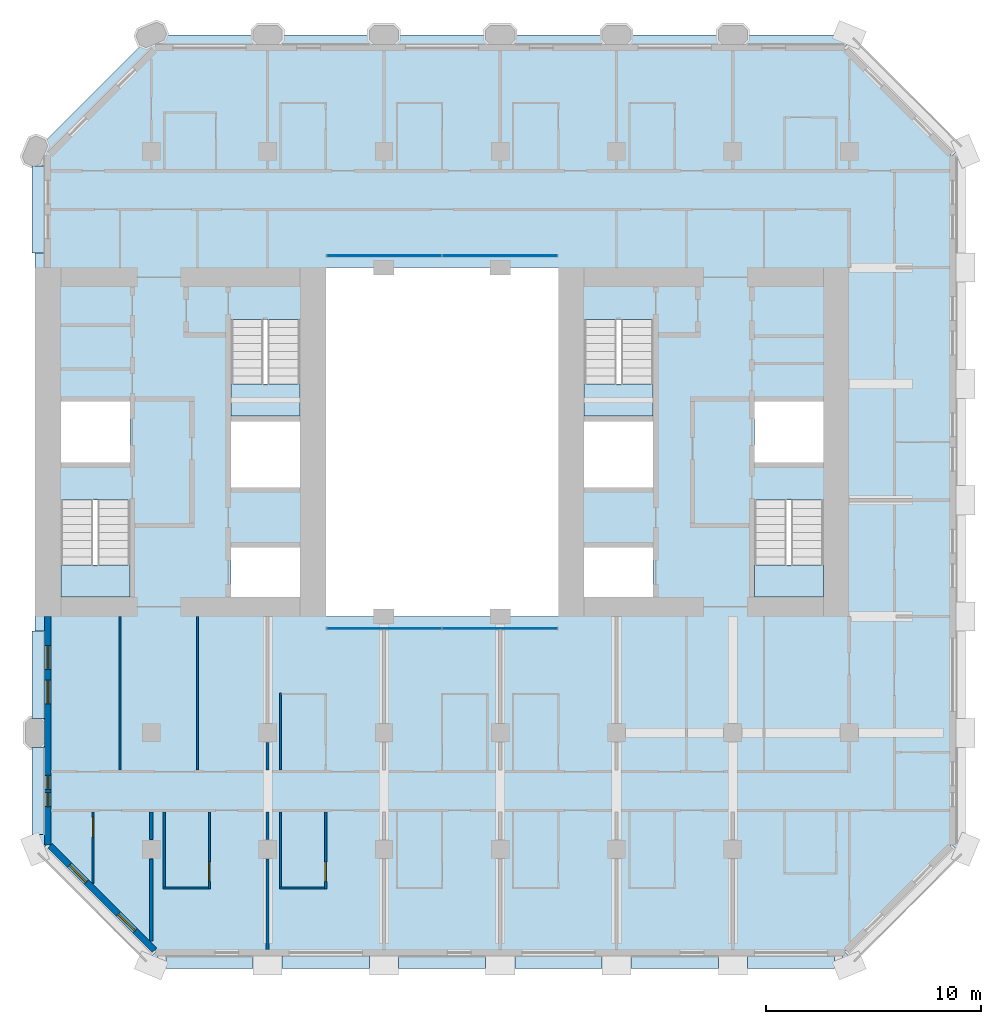
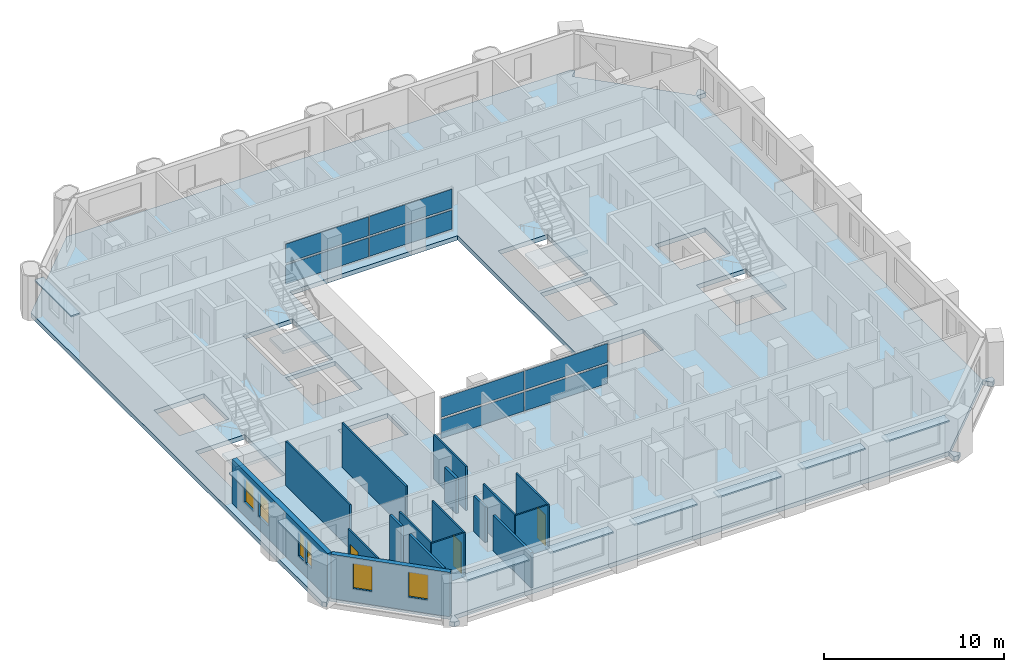
# One storey, part 7 of 16: 17 plates, 17 walls, 6 windows, 5 slabs, 3 doors, 9 openings, 6 elements without a shape of their own.
"""IFC4 building model written with IfcOpenShell, lengths in metres."""

import ifcopenshell
import ifcopenshell.guid

model = None  # the IFC model being written
_history = None  # IfcOwnerHistory: only IFC2X3 demands one
_inside = {}  # id of a spatial element -> (the spatial element, [elements in it])
_under = {}  # id of a project, library or spatial element -> (it, [spatial elements below it])
_declared = {}  # id of a project -> (the project, [libraries it declares])
_typed = {}  # id of a type object -> (the type object, [elements of that type])
_made_of = {}  # id of a material, layer set ... -> (it, [elements and type objects made of it])


def new_model(schema):
    """Start an empty IFC model of exactly this schema.

    Asked for "IFC4X3", IfcOpenShell would pick the latest addendum, in which some entities
    have other attributes; the version numbers below select the first issue.
    IFC2X3 requires an IfcOwnerHistory on every rooted entity: one is made here for all.
    """
    global model, _history
    if schema == "IFC4X3":
        model = ifcopenshell.file(schema_version=(4, 3, 0, 0))
    else:
        model = ifcopenshell.file(schema=schema)
    _inside.clear()
    _under.clear()
    _declared.clear()
    _typed.clear()
    _made_of.clear()
    _history = None
    if model.schema == "IFC2X3":
        org = make("IfcOrganization", Name="unknown")
        user = make(
            "IfcPersonAndOrganization",
            ThePerson=make("IfcPerson", FamilyName="unknown"),
            TheOrganization=org,
        )
        app = make(
            "IfcApplication",
            ApplicationDeveloper=org,
            Version="unknown",
            ApplicationFullName="unknown",
            ApplicationIdentifier="unknown",
        )
        _history = make(
            "IfcOwnerHistory",
            OwningUser=user,
            OwningApplication=app,
            ChangeAction="ADDED",
            CreationDate=0,
        )
    return model


def make(cls, **values):
    """One entity of the class cls with the attributes given. An attribute that is None is left unset."""
    return model.create_entity(
        cls, **{name: value for name, value in values.items() if value is not None}
    )


def rooted(cls, **values):
    """An entity with a GlobalId (a new one), such as an element, a storey or a relation."""
    return make(cls, GlobalId=ifcopenshell.guid.new(), OwnerHistory=_history, **values)


def si_unit(unit_type, name, prefix=None):
    """IfcSIUnit, for example si_unit("LENGTHUNIT", "METRE", prefix="MILLI")."""
    return make("IfcSIUnit", UnitType=unit_type, Prefix=prefix, Name=name)


def assignment(units):
    """IfcUnitAssignment: the units of a project."""
    return None if units is None else make("IfcUnitAssignment", Units=units)


def point(xyz):
    """IfcCartesianPoint."""
    return None if xyz is None else make("IfcCartesianPoint", Coordinates=xyz)


def direction(xyz):
    """IfcDirection."""
    return None if xyz is None else make("IfcDirection", DirectionRatios=xyz)


def frame(location, z_axis=None, x_axis=None):
    """IfcAxis2Placement3D, a coordinate frame: its origin and axes. An axis left out is left unset."""
    return make(
        "IfcAxis2Placement3D",
        Location=point(location),
        Axis=direction(z_axis),
        RefDirection=direction(x_axis),
    )


def frame_2d(location, x_axis=None):
    """IfcAxis2Placement2D, a coordinate frame in the plane: its origin and x axis."""
    return make(
        "IfcAxis2Placement2D", Location=point(location), RefDirection=direction(x_axis)
    )


def origin():
    """The frame at (0, 0, 0) with its axes left unset."""
    return frame((0.0, 0.0, 0.0))


def origin_2d():
    """The frame at (0, 0) in the plane with its x axis left unset."""
    return frame_2d((0.0, 0.0))


def place(relative_to, where):
    """IfcLocalPlacement: puts the frame where relative to a parent placement (None: the world)."""
    return make(
        "IfcLocalPlacement", PlacementRelTo=relative_to, RelativePlacement=where
    )


def context(
    kind, dimensions, precision=None, world=None, true_north=None, identifier=None
):
    """IfcGeometricRepresentationContext, for example the 3D "Model" context."""
    return make(
        "IfcGeometricRepresentationContext",
        ContextIdentifier=identifier,
        ContextType=kind,
        CoordinateSpaceDimension=dimensions,
        Precision=precision,
        WorldCoordinateSystem=world,
        TrueNorth=true_north,
    )


def subcontext(parent, identifier, kind, view, scale=None):
    """IfcGeometricRepresentationSubContext, for example "Body" below "Model"."""
    return make(
        "IfcGeometricRepresentationSubContext",
        ContextIdentifier=identifier,
        ContextType=kind,
        ParentContext=parent,
        TargetScale=scale,
        TargetView=view,
    )


def project(units=None, contexts=None):
    """IfcProject with its units and contexts."""
    return rooted(
        "IfcProject",
        Name="project",
        RepresentationContexts=contexts,
        UnitsInContext=assignment(units),
    )


def spatial(cls, under=None, at=None, **own):
    """A site, building, storey or space (cls), placed at a placement, below another one or the project."""
    s = rooted(cls, ObjectPlacement=at, **own)
    if under is not None:
        _under.setdefault(under.id(), (under, []))[1].append(s)
    return s


def polyline(points):
    """IfcPolyline through the points."""
    return make("IfcPolyline", Points=[point(p) for p in points])


def profile(cls, at=None, kind="AREA", **sizes):
    """A parametric profile (cls). Its sizes go by their IFC names, for example OverallWidth=200.0."""
    return make(cls, ProfileType=kind, Position=at, **sizes)


def rectangle(**sizes):
    """IfcRectangleProfileDef."""
    return profile("IfcRectangleProfileDef", **sizes)


def outline(outer, holes=None, kind="AREA"):
    """IfcArbitraryClosedProfileDef: a profile drawn as a closed curve; with holes, ...WithVoids."""
    if holes is None:
        return make("IfcArbitraryClosedProfileDef", ProfileType=kind, OuterCurve=outer)
    return make(
        "IfcArbitraryProfileDefWithVoids",
        ProfileType=kind,
        OuterCurve=outer,
        InnerCurves=holes,
    )


def extrude(swept, where, along, depth):
    """IfcExtrudedAreaSolid: the profile swept, set in the frame where, extruded along a direction by depth."""
    return make(
        "IfcExtrudedAreaSolid",
        SweptArea=swept,
        Position=where,
        ExtrudedDirection=direction(along),
        Depth=depth,
    )


def shape(context_of_items, identifier, shape_type, items):
    """IfcShapeRepresentation: the items that make up one representation, for example the "Body"."""
    return make(
        "IfcShapeRepresentation",
        ContextOfItems=context_of_items,
        RepresentationIdentifier=identifier,
        RepresentationType=shape_type,
        Items=items,
    )


def material(Name=None, Category=None):
    """IfcMaterial."""
    return make("IfcMaterial", Name=Name, Category=Category)


def layer(
    of_material, thickness, ventilated=None, Name=None, Category=None, Priority=None
):
    """IfcMaterialLayer: one layer of a wall or slab, of a material (None: an air gap)."""
    return make(
        "IfcMaterialLayer",
        Material=of_material,
        LayerThickness=thickness,
        IsVentilated=ventilated,
        Name=Name,
        Category=Category,
        Priority=Priority,
    )


def layer_set(layers, Name=None):
    """IfcMaterialLayerSet."""
    return make("IfcMaterialLayerSet", MaterialLayers=layers, LayerSetName=Name)


def made_of(thing, what):
    """Note that an element or type object is made of a material, layer set ...; save() writes the relation."""
    if what is not None:
        _made_of.setdefault(what.id(), (what, []))[1].append(thing)
    return thing


def type_object(cls, material=None, **own):
    """A type object (cls), such as IfcWallType, which elements share."""
    return made_of(rooted(cls, **own), material)


def element(
    cls,
    number,
    at=None,
    inside=None,
    cuts=None,
    type_object=None,
    material=None,
    context=None,
    identifier="Body",
    shape_type=None,
    held_by="IfcProductDefinitionShape",
    body=None,
    shapes=None,
    **own,
):
    """One element of the class cls, such as IfcWall. Its Tag is "e" and its number.

    at: its placement. inside: the storey or other place that contains it. cuts: it is an
    opening in that element (IfcRelVoidsElement). A single representation is given by context,
    identifier, shape_type and body (its items); several are given by shapes. held_by: the class
    of the entity that holds the representations. save() writes the other relations.
    """
    e = rooted(cls, Tag="e%d" % number, ObjectPlacement=at, **own)
    if body is not None:
        shapes = [shape(context, identifier, shape_type, body)]
    if shapes is not None:
        e.Representation = make(held_by, Representations=shapes)
    if inside is not None:
        _inside.setdefault(inside.id(), (inside, []))[1].append(e)
    if cuts is not None:
        rooted(
            "IfcRelVoidsElement", RelatingBuildingElement=cuts, RelatedOpeningElement=e
        )
    if type_object is not None:
        _typed.setdefault(type_object.id(), (type_object, []))[1].append(e)
    return made_of(e, material)


def fill(opening, filler):
    """IfcRelFillsElement: the door or window that sits in an opening."""
    return rooted(
        "IfcRelFillsElement",
        RelatingOpeningElement=opening,
        RelatedBuildingElement=filler,
    )


def aggregate(whole, parts):
    """IfcRelAggregates: a whole, such as a stair, and the parts it consists of."""
    return rooted("IfcRelAggregates", RelatingObject=whole, RelatedObjects=parts)


def save(model, path):
    """Write the relations noted so far, then the file.

    IfcRelAggregates (storeys below a building ...), IfcRelContainedInSpatialStructure (elements
    in a storey), IfcRelDefinesByType, IfcRelAssociatesMaterial and IfcRelDeclares: one each for
    every whole, place, type object, material and project.
    """
    for whole, parts in _under.values():
        aggregate(whole, parts)
    for where, things in _inside.values():
        rooted(
            "IfcRelContainedInSpatialStructure",
            RelatedElements=things,
            RelatingStructure=where,
        )
    for kind, things in _typed.values():
        rooted("IfcRelDefinesByType", RelatedObjects=things, RelatingType=kind)
    for what, things in _made_of.values():
        rooted("IfcRelAssociatesMaterial", RelatedObjects=things, RelatingMaterial=what)
    for by, libraries in _declared.values():
        rooted("IfcRelDeclares", RelatingContext=by, RelatedDefinitions=libraries)
    model.write(path)


model = new_model("IFC4")

# Units and contexts
model_context = context("Model", 3, precision=1e-05, world=origin(), true_north=direction((0.0, 1.0)))
body_context = subcontext(model_context, "Body", "Model", "MODEL_VIEW")
ifc_project = project(units=[si_unit("LENGTHUNIT", "METRE"), si_unit("AREAUNIT", "SQUARE_METRE"), si_unit("VOLUMEUNIT", "CUBIC_METRE"), si_unit("PLANEANGLEUNIT", "RADIAN"), si_unit("MASSUNIT", "GRAM", prefix="KILO")], contexts=[model_context])

# Site, building, storey
site_placement = place(None, origin())
site = spatial("IfcSite", under=ifc_project, at=site_placement, CompositionType="ELEMENT")
building_placement = place(site_placement, origin())
building = spatial("IfcBuilding", under=site, at=building_placement, Name="Tabaq Tower and Sports Hall", CompositionType="ELEMENT")
storey_placement = place(building_placement, frame((0.0, 0.0, 156.10009765625)))
storey = spatial("IfcBuildingStorey", under=building, at=storey_placement, Name="L36", CompositionType="ELEMENT", Elevation=156.10009765625)

# Curtain wall, plates
ifc_material_1 = material(Name="Aluminium alloy 6063-T6 framed glazing", Category="aluminium")
curtain_wall_type = type_object("IfcCurtainWallType", Name="CW1 curtain wall", PredefinedType="USERDEFINED", material=ifc_material_1)
curtain_wall_1_placement = place(storey_placement, origin())
curtain_wall_1 = element("IfcCurtainWall", 1, at=curtain_wall_1_placement, inside=storey, type_object=curtain_wall_type, Name="Atrium glazing L36 S", ObjectType="ATRIUM ENCLOSURE", PredefinedType="USERDEFINED")
ifc_material_2 = material(Name="Clear low-emissivity glass 28 mm", Category="glass")
ifc_layer_1 = layer(ifc_material_2, 0.028076171875)
ifc_layer_set_1 = layer_set([ifc_layer_1], Name="CW1 glass panel 28")
plate_type_1 = type_object("IfcPlateType", Name="CW1 glass panel 28", PredefinedType="CURTAIN_PANEL", material=ifc_layer_set_1)
plate_1_placement = place(storey_placement, frame((21.614990234375, 15.64990234375, 0.139892578125), z_axis=(0.0, 0.0, 1.0), x_axis=(1.0, 0.0, 0.0)))
plate_1 = element("IfcPlate", 2, at=plate_1_placement, type_object=plate_type_1, Name="CW1 panel 1.1", PredefinedType="CURTAIN_PANEL", context=body_context, shape_type="SweptSolid", body=[
    extrude(rectangle(XDim=5.31005859375, YDim=0.028076171875, at=origin_2d()), origin(), (0.0, 0.0, 1.0), 1.2900390625),
])
plate_2_placement = place(storey_placement, frame((21.614990234375, 15.64990234375, 1.56982421875), z_axis=(0.0, 0.0, 1.0), x_axis=(1.0, 0.0, 0.0)))
plate_2 = element("IfcPlate", 3, at=plate_2_placement, type_object=plate_type_1, Name="CW1 panel 1.2", PredefinedType="CURTAIN_PANEL", context=body_context, shape_type="SweptSolid", body=[
    extrude(rectangle(XDim=5.31005859375, YDim=0.028076171875, at=origin_2d()), origin(), (0.0, 0.0, 1.0), 1.2900390625),
])
plate_3_placement = place(storey_placement, frame((26.985107421875, 15.64990234375, 0.139892578125), z_axis=(0.0, 0.0, 1.0), x_axis=(1.0, 0.0, 0.0)))
plate_3 = element("IfcPlate", 4, at=plate_3_placement, type_object=plate_type_1, Name="CW1 panel 2.1", PredefinedType="CURTAIN_PANEL", context=body_context, shape_type="SweptSolid", body=[
    extrude(rectangle(XDim=5.31005859375, YDim=0.028076171875, at=origin_2d()), origin(), (0.0, 0.0, 1.0), 1.2900390625),
])
plate_4_placement = place(storey_placement, frame((26.985107421875, 15.64990234375, 1.56982421875), z_axis=(0.0, 0.0, 1.0), x_axis=(1.0, 0.0, 0.0)))
plate_4 = element("IfcPlate", 5, at=plate_4_placement, type_object=plate_type_1, Name="CW1 panel 2.2", PredefinedType="CURTAIN_PANEL", context=body_context, shape_type="SweptSolid", body=[
    extrude(rectangle(XDim=5.31005859375, YDim=0.028076171875, at=origin_2d()), origin(), (0.0, 0.0, 1.0), 1.2900390625),
])
aggregate(curtain_wall_1, [plate_1, plate_2, plate_3, plate_4])

curtain_wall_2_placement = place(storey_placement, origin())
curtain_wall_2 = element("IfcCurtainWall", 6, at=curtain_wall_2_placement, inside=storey, type_object=curtain_wall_type, Name="Atrium glazing L36 N", ObjectType="ATRIUM ENCLOSURE", PredefinedType="USERDEFINED")
plate_5_placement = place(storey_placement, frame((21.614990234375, 32.949951171875, 0.139892578125), z_axis=(0.0, 0.0, 1.0), x_axis=(1.0, 0.0, 0.0)))
plate_5 = element("IfcPlate", 7, at=plate_5_placement, type_object=plate_type_1, Name="CW1 panel 1.1", PredefinedType="CURTAIN_PANEL", context=body_context, shape_type="SweptSolid", body=[
    extrude(rectangle(XDim=5.31005859375, YDim=0.028076171875, at=origin_2d()), origin(), (0.0, 0.0, 1.0), 1.2900390625),
])
plate_6_placement = place(storey_placement, frame((21.614990234375, 32.949951171875, 1.56982421875), z_axis=(0.0, 0.0, 1.0), x_axis=(1.0, 0.0, 0.0)))
plate_6 = element("IfcPlate", 8, at=plate_6_placement, type_object=plate_type_1, Name="CW1 panel 1.2", PredefinedType="CURTAIN_PANEL", context=body_context, shape_type="SweptSolid", body=[
    extrude(rectangle(XDim=5.31005859375, YDim=0.028076171875, at=origin_2d()), origin(), (0.0, 0.0, 1.0), 1.2900390625),
])
plate_7_placement = place(storey_placement, frame((26.985107421875, 32.949951171875, 0.139892578125), z_axis=(0.0, 0.0, 1.0), x_axis=(1.0, 0.0, 0.0)))
plate_7 = element("IfcPlate", 9, at=plate_7_placement, type_object=plate_type_1, Name="CW1 panel 2.1", PredefinedType="CURTAIN_PANEL", context=body_context, shape_type="SweptSolid", body=[
    extrude(rectangle(XDim=5.31005859375, YDim=0.028076171875, at=origin_2d()), origin(), (0.0, 0.0, 1.0), 1.2900390625),
])
plate_8_placement = place(storey_placement, frame((26.985107421875, 32.949951171875, 1.56982421875), z_axis=(0.0, 0.0, 1.0), x_axis=(1.0, 0.0, 0.0)))
plate_8 = element("IfcPlate", 10, at=plate_8_placement, type_object=plate_type_1, Name="CW1 panel 2.2", PredefinedType="CURTAIN_PANEL", context=body_context, shape_type="SweptSolid", body=[
    extrude(rectangle(XDim=5.31005859375, YDim=0.028076171875, at=origin_2d()), origin(), (0.0, 0.0, 1.0), 1.2900390625),
])
aggregate(curtain_wall_2, [plate_5, plate_6, plate_7, plate_8])

# Stair, slab
ifc_material_3 = material(Name="Concrete C40/50", Category="concrete")
stair_type = type_object("IfcStairType", Name="Exit stair", PredefinedType="HALF_TURN_STAIR", material=ifc_material_3)
stair_1_placement = place(storey_placement, origin())
stair_1 = element("IfcStair", 11, at=stair_1_placement, inside=storey, type_object=stair_type, Name="L36 Exit stair ST1", PredefinedType="HALF_TURN_STAIR")
ifc_material_4 = material(Name="Concrete C40/50", Category="concrete")
ifc_layer_2 = layer(ifc_material_4, 0.199951171875)
ifc_layer_set_2 = layer_set([ifc_layer_2], Name="Exit stair landing")
slab_type_1 = type_object("IfcSlabType", Name="Exit stair landing", PredefinedType="LANDING", material=ifc_layer_set_2)
slab_1_placement = place(storey_placement, frame((0.0, 0.0, 1.449951171875)))
slab_1 = element("IfcSlab", 12, at=slab_1_placement, type_object=slab_type_1, Name="ST1 landing 1", PredefinedType="LANDING", context=body_context, shape_type="SweptSolid", body=[
    extrude(outline(polyline([(6.60009765625, 18.60009765625), (6.60009765625, 17.10009765625), (9.800048828125, 17.10009765625), (9.800048828125, 18.60009765625), (6.60009765625, 18.60009765625)])), origin(), (0.0, 0.0, 1.0), 0.199951171875),
])
aggregate(stair_1, [slab_1])

stair_2_placement = place(storey_placement, origin())
stair_2 = element("IfcStair", 13, at=stair_2_placement, inside=storey, type_object=stair_type, Name="L36 Exit stair ST2", PredefinedType="HALF_TURN_STAIR")
slab_2_placement = place(storey_placement, frame((0.0, 0.0, 1.449951171875)))
slab_2 = element("IfcSlab", 14, at=slab_2_placement, type_object=slab_type_1, Name="ST2 landing 1", PredefinedType="LANDING", context=body_context, shape_type="SweptSolid", body=[
    extrude(outline(polyline([(14.5, 27.0), (14.5, 25.5), (17.699951171875, 25.5), (17.699951171875, 27.0), (14.5, 27.0)])), origin(), (0.0, 0.0, 1.0), 0.199951171875),
])
aggregate(stair_2, [slab_2])

stair_3_placement = place(storey_placement, origin())
stair_3 = element("IfcStair", 15, at=stair_3_placement, inside=storey, type_object=stair_type, Name="L36 Exit stair ST3", PredefinedType="HALF_TURN_STAIR")
slab_3_placement = place(storey_placement, frame((0.0, 0.0, 1.449951171875)))
slab_3 = element("IfcSlab", 16, at=slab_3_placement, type_object=slab_type_1, Name="ST3 landing 1", PredefinedType="LANDING", context=body_context, shape_type="SweptSolid", body=[
    extrude(outline(polyline([(38.800048828125, 18.60009765625), (38.800048828125, 17.10009765625), (42.0, 17.10009765625), (42.0, 18.60009765625), (38.800048828125, 18.60009765625)])), origin(), (0.0, 0.0, 1.0), 0.199951171875),
])
aggregate(stair_3, [slab_3])

stair_4_placement = place(storey_placement, origin())
stair_4 = element("IfcStair", 17, at=stair_4_placement, inside=storey, type_object=stair_type, Name="L36 Exit stair ST4", PredefinedType="HALF_TURN_STAIR")
slab_4_placement = place(storey_placement, frame((0.0, 0.0, 1.449951171875)))
slab_4 = element("IfcSlab", 18, at=slab_4_placement, type_object=slab_type_1, Name="ST4 landing 1", PredefinedType="LANDING", context=body_context, shape_type="SweptSolid", body=[
    extrude(outline(polyline([(30.89990234375, 27.0), (30.89990234375, 25.5), (34.10009765625, 25.5), (34.10009765625, 27.0), (30.89990234375, 27.0)])), origin(), (0.0, 0.0, 1.0), 0.199951171875),
])
aggregate(stair_4, [slab_4])

# Slab
ifc_material_5 = material(Name="Concrete C40/50", Category="concrete")
ifc_layer_3 = layer(ifc_material_5, 0.300048828125)
ifc_layer_set_3 = layer_set([ifc_layer_3], Name="PT FLOOR SLAB 300 C40/50")
slab_type_2 = type_object("IfcSlabType", Name="PT FLOOR SLAB 300 C40/50", PredefinedType="FLOOR", material=ifc_layer_set_3)
slab_5_placement = place(storey_placement, frame((0.0, 0.0, -0.300048828125)))
element("IfcSlab", 19, at=slab_5_placement, inside=storey, type_object=slab_type_2, Name="Floor Slab L36", PredefinedType="FLOOR", context=body_context, shape_type="SweptSolid", body=[
    extrude(outline(polyline([(5.39990234375, 37.800048828125), (5.39990234375, 5.39990234375), (5.57666015625, 5.22314453125), (5.930419921875, 5.57666015625), (6.0009765625, 5.6474609375), (11.01318359375, 0.63525390625), (10.5888671875, 0.211181640625), (10.800048828125, 0.0), (11.0986328125, 0.0), (11.0986328125, 0.5), (11.0986328125, 0.60009765625), (42.9013671875, 0.60009765625), (42.9013671875, 0.5), (42.9013671875, 0.0), (43.199951171875, 0.0), (43.4111328125, 0.211181640625), (42.98681640625, 0.63525390625), (47.964599609375, 5.61328125), (48.035400390625, 5.54248046875), (48.388916015625, 5.18896484375), (48.60009765625, 5.39990234375), (48.60009765625, 5.698486328125), (48.10009765625, 5.698486328125), (48.0, 5.698486328125), (48.0, 37.50146484375), (48.10009765625, 37.50146484375), (48.60009765625, 37.50146484375), (48.60009765625, 37.800048828125), (48.388916015625, 38.010986328125), (48.035400390625, 37.657470703125), (47.964599609375, 37.5869140625), (42.952392578125, 42.598876953125), (43.023193359375, 42.669677734375), (43.376708984375, 43.023193359375), (43.199951171875, 43.199951171875), (10.800048828125, 43.199951171875), (5.39990234375, 37.800048828125)]), holes=[polyline([(14.5, 19.39990234375), (17.699951171875, 19.39990234375), (17.699951171875, 17.10009765625), (14.5, 17.10009765625), (14.5, 19.39990234375)]), polyline([(6.60009765625, 21.599365234375), (9.800048828125, 21.599365234375), (9.800048828125, 17.10009765625), (6.60009765625, 17.10009765625), (6.60009765625, 21.599365234375)]), polyline([(14.5, 25.25), (17.699951171875, 25.25), (17.699951171875, 22.199951171875), (14.5, 22.199951171875), (14.5, 25.25)]), polyline([(18.89990234375, 32.39990234375), (29.699951171875, 32.39990234375), (29.699951171875, 16.199951171875), (18.89990234375, 16.199951171875), (18.89990234375, 32.39990234375)]), polyline([(9.800048828125, 26.175048828125), (9.800048828125, 23.35009765625), (6.60009765625, 23.35009765625), (6.60009765625, 26.175048828125), (9.800048828125, 26.175048828125)]), polyline([(14.5, 29.99951171875), (17.699951171875, 29.99951171875), (17.699951171875, 25.5), (14.5, 25.5), (14.5, 29.99951171875)]), polyline([(34.10009765625, 19.39990234375), (34.10009765625, 17.10009765625), (30.89990234375, 17.10009765625), (30.89990234375, 19.39990234375), (34.10009765625, 19.39990234375)]), polyline([(42.0, 21.599365234375), (42.0, 17.10009765625), (38.800048828125, 17.10009765625), (38.800048828125, 21.599365234375), (42.0, 21.599365234375)]), polyline([(30.89990234375, 25.25), (34.10009765625, 25.25), (34.10009765625, 22.199951171875), (30.89990234375, 22.199951171875), (30.89990234375, 25.25)]), polyline([(42.0, 26.175048828125), (42.0, 23.35009765625), (38.800048828125, 23.35009765625), (38.800048828125, 26.175048828125), (42.0, 26.175048828125)]), polyline([(34.10009765625, 29.99951171875), (34.10009765625, 25.5), (30.89990234375, 25.5), (30.89990234375, 29.99951171875), (34.10009765625, 29.99951171875)])]), origin(), (0.0, 0.0, 1.0), 0.300048828125),
])

# Plates
ifc_material_6 = material(Name="White precast concrete C60/75 blade", Category="concrete")
ifc_layer_4 = layer(ifc_material_6, 0.10009765625)
ifc_layer_set_4 = layer_set([ifc_layer_4], Name="White precast concrete C60/75 sunshade 100")
plate_type_2 = type_object("IfcPlateType", Name="White precast concrete C60/75 sunshade 100", PredefinedType="USERDEFINED", material=ifc_layer_set_4)
for number, where, z_axis, x_axis, name in (
    (20, (13.5, 0.14990234375, 2.599853515625), (0.0, 0.0, 1.0), (1.0, 0.0, 0.0), "Sunshade L36 S"),
    (21, (18.89990234375, 0.14990234375, 2.599853515625), (0.0, 0.0, 1.0), (1.0, 0.0, 0.0), "Sunshade L36 S"),
    (22, (24.300048828125, 0.14990234375, 2.599853515625), (0.0, 0.0, 1.0), (1.0, 0.0, 0.0), "Sunshade L36 S"),
    (23, (29.699951171875, 0.14990234375, 2.599853515625), (0.0, 0.0, 1.0), (1.0, 0.0, 0.0), "Sunshade L36 S"),
    (24, (35.10009765625, 0.14990234375, 2.599853515625), (0.0, 0.0, 1.0), (1.0, 0.0, 0.0), "Sunshade L36 S"),
    (25, (40.5, 0.14990234375, 2.599853515625), (0.0, 0.0, 1.0), (1.0, 0.0, 0.0), "Sunshade L36 S"),
    (26, (5.550048828125, 35.10009765625, 2.599853515625), (0.0, 0.0, 1.0), (0.0, -1.0, 0.0), "Sunshade L36 W"),
    (27, (5.550048828125, 13.5, 2.599853515625), (0.0, 0.0, 1.0), (0.0, -1.0, 0.0), "Sunshade L36 W"),
    (28, (5.550048828125, 8.10009765625, 2.599853515625), (0.0, 0.0, 1.0), (0.0, -1.0, 0.0), "Sunshade L36 W"),
):
    element("IfcPlate", number, at=place(storey_placement, frame(where, z_axis=z_axis, x_axis=x_axis)), inside=storey, type_object=plate_type_2, Name=name, ObjectType="SUNSHADE", PredefinedType="USERDEFINED", context=body_context, shape_type="SweptSolid", body=[
        extrude(rectangle(XDim=4.050048828125, YDim=0.60009765625, at=origin_2d()), origin(), (0.0, 0.0, 1.0), 0.10009765625),
    ])

# Wall
ifc_material_7 = material(Name="Gypsum board on steel studs", Category="steel")
ifc_layer_5 = layer(ifc_material_7, 0.10009765625)
ifc_layer_set_5 = layer_set([ifc_layer_5], Name="Partition 100 Gypsum board")
wall_type_1 = type_object("IfcWallType", Name="Partition 100 Gypsum board", PredefinedType="PARTITIONING", material=ifc_layer_set_5)
wall_1_placement = place(storey_placement, frame((16.800048828125, 9.074951171875, 0.0), z_axis=(0.0, 0.0, 1.0), x_axis=(0.0, 1.0, 0.0)))
element("IfcWall", 29, at=wall_1_placement, inside=storey, type_object=wall_type_1, Name="Partition wall L36", PredefinedType="PARTITIONING", context=body_context, shape_type="SweptSolid", body=[
    extrude(rectangle(XDim=3.574951171875, YDim=0.10009765625, at=frame_2d((1.78759765625, 0.0))), origin(), (0.0, 0.0, 1.0), 3.0),
])

# Wall, opening, door
wall_2_placement = place(storey_placement, frame((8.10009765625, 7.125, 0.0), z_axis=(0.0, 0.0, 1.0), x_axis=(0.0, -1.0, 0.0)))
wall_2 = element("IfcWall", 30, at=wall_2_placement, inside=storey, type_object=wall_type_1, Name="Partition wall L36", PredefinedType="PARTITIONING", context=body_context, shape_type="SweptSolid", body=[
    extrude(rectangle(XDim=3.31298828125, YDim=0.10009765625, at=frame_2d((1.656494140625, 0.0))), origin(), (0.0, 0.0, 1.0), 3.0),
])
opening_1_placement = place(wall_2_placement, frame((0.25, 0.0, 0.0)))
opening_1 = element("IfcOpeningElement", 31, at=opening_1_placement, cuts=wall_2, Name="Opening L36-018", PredefinedType="OPENING", context=body_context, shape_type="SweptSolid", body=[
    extrude(rectangle(XDim=0.89990234375, YDim=2.10009765625, at=frame_2d((0.449951171875, 1.050048828125))), frame((0.0, 0.050048828125, 0.0), z_axis=(0.0, -1.0, 0.0), x_axis=(1.0, 0.0, 0.0)), (0.0, 0.0, 1.0), 0.10009765625),
])
ifc_material_8 = material(Name="Timber leaf in steel frame", Category="steel")
door_type_1 = type_object("IfcDoorType", Name="Internal door 900 right hand", OperationType="SINGLE_SWING_RIGHT", PredefinedType="DOOR", material=ifc_material_8)
door_1_placement = place(opening_1_placement, origin())
door_1 = element("IfcDoor", 32, at=door_1_placement, inside=storey, type_object=door_type_1, Name="Internal door L36-018", OperationType="SINGLE_SWING_RIGHT", OverallHeight=2.10009765625, OverallWidth=0.89990234375, PredefinedType="DOOR", context=body_context, shape_type="SweptSolid", body=[
    extrude(rectangle(XDim=0.89990234375, YDim=2.10009765625, at=frame_2d((0.449951171875, 1.050048828125))), frame((0.0, 0.02490234375, 0.0), z_axis=(0.0, -1.0, 0.0), x_axis=(1.0, 0.0, 0.0)), (0.0, 0.0, 1.0), 0.050048828125),
])
fill(opening_1, door_1)

wall_3_placement = place(storey_placement, frame((13.5, 7.125, 0.0), z_axis=(0.0, 0.0, 1.0), x_axis=(0.0, -1.0, 0.0)))
wall_3 = element("IfcWall", 33, at=wall_3_placement, inside=storey, type_object=wall_type_1, Name="Partition wall L36", PredefinedType="PARTITIONING", context=body_context, shape_type="SweptSolid", body=[
    extrude(rectangle(XDim=3.574951171875, YDim=0.10009765625, at=frame_2d((1.78759765625, 0.0))), origin(), (0.0, 0.0, 1.0), 3.0),
])
opening_2_placement = place(wall_3_placement, frame((2.324951171875, 0.0, 0.0)))
opening_2 = element("IfcOpeningElement", 34, at=opening_2_placement, cuts=wall_3, Name="Opening L36-019", PredefinedType="OPENING", context=body_context, shape_type="SweptSolid", body=[
    extrude(rectangle(XDim=0.89990234375, YDim=2.10009765625, at=frame_2d((0.449951171875, 1.050048828125))), frame((0.0, 0.050048828125, 0.0), z_axis=(0.0, -1.0, 0.0), x_axis=(1.0, 0.0, 0.0)), (0.0, 0.0, 1.0), 0.10009765625),
])
door_2_placement = place(opening_2_placement, origin())
door_2 = element("IfcDoor", 35, at=door_2_placement, inside=storey, type_object=door_type_1, Name="Internal door L36-019", OperationType="SINGLE_SWING_RIGHT", OverallHeight=2.10009765625, OverallWidth=0.89990234375, PredefinedType="DOOR", context=body_context, shape_type="SweptSolid", body=[
    extrude(rectangle(XDim=0.89990234375, YDim=2.10009765625, at=frame_2d((0.449951171875, 1.050048828125))), frame((0.0, 0.02490234375, 0.0), z_axis=(0.0, -1.0, 0.0), x_axis=(1.0, 0.0, 0.0)), (0.0, 0.0, 1.0), 0.050048828125),
])
fill(opening_2, door_2)

# Walls
wall_4_placement = place(storey_placement, frame((13.449951171875, 3.60009765625, 0.0), z_axis=(0.0, 0.0, 1.0), x_axis=(-1.0, 0.0, 0.0)))
element("IfcWall", 36, at=wall_4_placement, inside=storey, type_object=wall_type_1, Name="Partition wall L36", PredefinedType="PARTITIONING", context=body_context, shape_type="SweptSolid", body=[
    extrude(rectangle(XDim=2.099853515625, YDim=0.10009765625, at=frame_2d((1.0498046875, 0.0))), origin(), (0.0, 0.0, 1.0), 3.0),
])
wall_5_placement = place(storey_placement, frame((11.39990234375, 3.64990234375, 0.0), z_axis=(0.0, 0.0, 1.0), x_axis=(0.0, 1.0, 0.0)))
element("IfcWall", 37, at=wall_5_placement, inside=storey, type_object=wall_type_1, Name="Partition wall L36", PredefinedType="PARTITIONING", context=body_context, shape_type="SweptSolid", body=[
    extrude(rectangle(XDim=3.47509765625, YDim=0.10009765625, at=frame_2d((1.737548828125, 0.0))), origin(), (0.0, 0.0, 1.0), 3.0),
])

# Wall, opening, door
wall_6_placement = place(storey_placement, frame((18.89990234375, 7.125, 0.0), z_axis=(0.0, 0.0, 1.0), x_axis=(0.0, -1.0, 0.0)))
wall_6 = element("IfcWall", 38, at=wall_6_placement, inside=storey, type_object=wall_type_1, Name="Partition wall L36", PredefinedType="PARTITIONING", context=body_context, shape_type="SweptSolid", body=[
    extrude(rectangle(XDim=3.574951171875, YDim=0.10009765625, at=frame_2d((1.78759765625, 0.0))), origin(), (0.0, 0.0, 1.0), 3.0),
])
opening_3_placement = place(wall_6_placement, frame((2.324951171875, 0.0, 0.0)))
opening_3 = element("IfcOpeningElement", 39, at=opening_3_placement, cuts=wall_6, Name="Opening L36-020", PredefinedType="OPENING", context=body_context, shape_type="SweptSolid", body=[
    extrude(rectangle(XDim=0.89990234375, YDim=2.10009765625, at=frame_2d((0.449951171875, 1.050048828125))), frame((0.0, 0.050048828125, 0.0), z_axis=(0.0, -1.0, 0.0), x_axis=(1.0, 0.0, 0.0)), (0.0, 0.0, 1.0), 0.10009765625),
])
ifc_material_9 = material(Name="Timber leaf in steel frame", Category="steel")
door_type_2 = type_object("IfcDoorType", Name="Internal door 900 left hand", OperationType="SINGLE_SWING_LEFT", PredefinedType="DOOR", material=ifc_material_9)
door_3_placement = place(opening_3_placement, origin())
door_3 = element("IfcDoor", 40, at=door_3_placement, inside=storey, type_object=door_type_2, Name="Internal door L36-020", OperationType="SINGLE_SWING_LEFT", OverallHeight=2.10009765625, OverallWidth=0.89990234375, PredefinedType="DOOR", context=body_context, shape_type="SweptSolid", body=[
    extrude(rectangle(XDim=0.89990234375, YDim=2.10009765625, at=frame_2d((0.449951171875, 1.050048828125))), frame((0.0, 0.02490234375, 0.0), z_axis=(0.0, -1.0, 0.0), x_axis=(1.0, 0.0, 0.0)), (0.0, 0.0, 1.0), 0.050048828125),
])
fill(opening_3, door_3)

# Walls
wall_7_placement = place(storey_placement, frame((18.85009765625, 3.60009765625, 0.0), z_axis=(0.0, 0.0, 1.0), x_axis=(-1.0, 0.0, 0.0)))
element("IfcWall", 41, at=wall_7_placement, inside=storey, type_object=wall_type_1, Name="Partition wall L36", PredefinedType="PARTITIONING", context=body_context, shape_type="SweptSolid", body=[
    extrude(rectangle(XDim=2.10009765625, YDim=0.10009765625, at=frame_2d((1.050048828125, 0.0))), origin(), (0.0, 0.0, 1.0), 3.0),
])
wall_8_placement = place(storey_placement, frame((16.800048828125, 3.64990234375, 0.0), z_axis=(0.0, 0.0, 1.0), x_axis=(0.0, 1.0, 0.0)))
element("IfcWall", 42, at=wall_8_placement, inside=storey, type_object=wall_type_1, Name="Partition wall L36", PredefinedType="PARTITIONING", context=body_context, shape_type="SweptSolid", body=[
    extrude(rectangle(XDim=3.47509765625, YDim=0.10009765625, at=frame_2d((1.737548828125, 0.0))), origin(), (0.0, 0.0, 1.0), 3.0),
])
for number, where, z_axis, x_axis, name in (
    (43, (9.35009765625, 16.199951171875, 0.0), (0.0, 0.0, 1.0), (0.0, -1.0, 0.0), "Partition wall L36"),
    (44, (12.949951171875, 9.074951171875, 0.0), (0.0, 0.0, 1.0), (0.0, 1.0, 0.0), "Partition wall L36"),
):
    element("IfcWall", number, at=place(storey_placement, frame(where, z_axis=z_axis, x_axis=x_axis)), inside=storey, type_object=wall_type_1, Name=name, PredefinedType="PARTITIONING", context=body_context, shape_type="SweptSolid", body=[
        extrude(rectangle(XDim=7.125, YDim=0.10009765625, at=frame_2d((3.5625, 0.0))), origin(), (0.0, 0.0, 1.0), 3.0),
    ])
ifc_material_10 = material(Name="Blockwork", Category="masonry")
ifc_layer_6 = layer(ifc_material_10, 0.14990234375)
ifc_layer_set_6 = layer_set([ifc_layer_6], Name="Separating wall 150 Blockwork")
wall_type_2 = type_object("IfcWallType", Name="Separating wall 150 Blockwork", PredefinedType="PARTITIONING", material=ifc_layer_set_6)
wall_9_placement = place(storey_placement, frame((16.199951171875, 10.35498046875, 0.0), z_axis=(0.0, 0.0, 1.0), x_axis=(0.0, -1.0, 0.0)))
element("IfcWall", 45, at=wall_9_placement, inside=storey, type_object=wall_type_2, Name="Separating wall L36", PredefinedType="PARTITIONING", context=body_context, shape_type="SweptSolid", body=[
    extrude(rectangle(XDim=1.280029296875, YDim=0.14990234375, at=frame_2d((0.64013671875, 0.0))), origin(), (0.0, 0.0, 1.0), 2.39990234375),
])
wall_10_placement = place(storey_placement, frame((10.800048828125, 1.13720703125, 0.0), z_axis=(0.0, 0.0, 1.0), x_axis=(0.0, 1.0, 0.0)))
element("IfcWall", 46, at=wall_10_placement, inside=storey, type_object=wall_type_2, Name="Separating wall L36", PredefinedType="PARTITIONING", context=body_context, shape_type="SweptSolid", body=[
    extrude(rectangle(XDim=3.81787109375, YDim=0.14990234375, at=frame_2d((1.908935546875, 0.0))), origin(), (0.0, 0.0, 1.0), 3.0),
])
wall_11_placement = place(storey_placement, frame((10.800048828125, 5.844970703125, 0.0), z_axis=(0.0, 0.0, 1.0), x_axis=(0.0, 1.0, 0.0)))
element("IfcWall", 47, at=wall_11_placement, inside=storey, type_object=wall_type_2, Name="Separating wall L36", PredefinedType="PARTITIONING", context=body_context, shape_type="SweptSolid", body=[
    extrude(rectangle(XDim=1.280029296875, YDim=0.14990234375, at=frame_2d((0.64013671875, 0.0))), origin(), (0.0, 0.0, 1.0), 3.0),
])
wall_12_placement = place(storey_placement, frame((16.199951171875, 0.7509765625, 0.0), z_axis=(0.0, 0.0, 1.0), x_axis=(0.0, 1.0, 0.0)))
element("IfcWall", 48, at=wall_12_placement, inside=storey, type_object=wall_type_2, Name="Separating wall L36", PredefinedType="PARTITIONING", context=body_context, shape_type="SweptSolid", body=[
    extrude(rectangle(XDim=4.2041015625, YDim=0.14990234375, at=frame_2d((2.10205078125, 0.0))), origin(), (0.0, 0.0, 1.0), 2.39990234375),
])
wall_13_placement = place(storey_placement, frame((16.199951171875, 5.844970703125, 0.0), z_axis=(0.0, 0.0, 1.0), x_axis=(0.0, 1.0, 0.0)))
element("IfcWall", 49, at=wall_13_placement, inside=storey, type_object=wall_type_2, Name="Separating wall L36", PredefinedType="PARTITIONING", context=body_context, shape_type="SweptSolid", body=[
    extrude(rectangle(XDim=1.280029296875, YDim=0.14990234375, at=frame_2d((0.64013671875, 0.0))), origin(), (0.0, 0.0, 1.0), 2.39990234375),
])

# Wall, openings, windows
ifc_material_11 = material(Name="White precast concrete C60/75", Category="concrete")
ifc_layer_7 = layer(ifc_material_11, 0.300048828125)
ifc_layer_set_7 = layer_set([ifc_layer_7], Name="White precast concrete C60/75 external wall 300")
wall_type_3 = type_object("IfcWallType", Name="White precast concrete C60/75 external wall 300", PredefinedType="SOLIDWALL", material=ifc_layer_set_7)
wall_14_placement = place(storey_placement, frame((6.0, 16.199951171875, 0.0), z_axis=(0.0, 0.0, 1.0), x_axis=(0.0, -1.0, 0.0)))
wall_14 = element("IfcWall", 50, at=wall_14_placement, inside=storey, type_object=wall_type_3, Name="External Wall L36 W", PredefinedType="SOLIDWALL", context=body_context, shape_type="SweptSolid", body=[
    extrude(rectangle(XDim=10.613525390625, YDim=0.300048828125, at=frame_2d((5.306640625, 0.0))), origin(), (0.0, 0.0, 1.0), 3.0),
])
opening_4_placement = place(wall_14_placement, frame((1.35009765625, 0.0, 0.89990234375)))
opening_4 = element("IfcOpeningElement", 51, at=opening_4_placement, cuts=wall_14, Name="Opening W1B", PredefinedType="OPENING", context=body_context, shape_type="SweptSolid", body=[
    extrude(rectangle(XDim=1.10009765625, YDim=1.699951171875, at=frame_2d((0.550048828125, 0.85009765625))), frame((0.0, 0.16015625, 0.0), z_axis=(0.0, -1.0, 0.0), x_axis=(1.0, 0.0, 0.0)), (0.0, 0.0, 1.0), 0.320068359375),
])
opening_5_placement = place(wall_14_placement, frame((2.949951171875, 0.0, 0.89990234375)))
opening_5 = element("IfcOpeningElement", 52, at=opening_5_placement, cuts=wall_14, Name="Opening W1B", PredefinedType="OPENING", context=body_context, shape_type="SweptSolid", body=[
    extrude(rectangle(XDim=1.10009765625, YDim=1.699951171875, at=frame_2d((0.550048828125, 0.85009765625))), frame((0.0, 0.16015625, 0.0), z_axis=(0.0, -1.0, 0.0), x_axis=(1.0, 0.0, 0.0)), (0.0, 0.0, 1.0), 0.320068359375),
])
opening_6_placement = place(wall_14_placement, frame((7.375, 0.0, 0.89990234375)))
opening_6 = element("IfcOpeningElement", 53, at=opening_6_placement, cuts=wall_14, Name="Opening W1C", PredefinedType="OPENING", context=body_context, shape_type="SweptSolid", body=[
    extrude(rectangle(XDim=0.64990234375, YDim=1.699951171875, at=frame_2d((0.324951171875, 0.85009765625))), frame((0.0, 0.16015625, 0.0), z_axis=(0.0, -1.0, 0.0), x_axis=(1.0, 0.0, 0.0)), (0.0, 0.0, 1.0), 0.320068359375),
])
opening_7_placement = place(wall_14_placement, frame((8.175048828125, 0.0, 0.89990234375)))
opening_7 = element("IfcOpeningElement", 54, at=opening_7_placement, cuts=wall_14, Name="Opening W1C", PredefinedType="OPENING", context=body_context, shape_type="SweptSolid", body=[
    extrude(rectangle(XDim=0.64990234375, YDim=1.699951171875, at=frame_2d((0.324951171875, 0.85009765625))), frame((0.0, 0.16015625, 0.0), z_axis=(0.0, -1.0, 0.0), x_axis=(1.0, 0.0, 0.0)), (0.0, 0.0, 1.0), 0.320068359375),
])
ifc_material_12 = material(Name="Aluminium framed clear glazing", Category="aluminium")
window_type_1 = type_object("IfcWindowType", Name="Window W1B", PartitioningType="SINGLE_PANEL", PredefinedType="WINDOW", material=ifc_material_12)
window_1_placement = place(opening_4_placement, origin())
window_1 = element("IfcWindow", 55, at=window_1_placement, inside=storey, type_object=window_type_1, Name="Window W1B L36", OverallHeight=1.699951171875, OverallWidth=1.10009765625, PartitioningType="SINGLE_PANEL", PredefinedType="WINDOW", context=body_context, shape_type="SweptSolid", body=[
    extrude(rectangle(XDim=1.10009765625, YDim=1.699951171875, at=frame_2d((0.550048828125, 0.85009765625))), frame((0.0, 0.030029296875, 0.0), z_axis=(0.0, -1.0, 0.0), x_axis=(1.0, 0.0, 0.0)), (0.0, 0.0, 1.0), 0.06005859375),
])
fill(opening_4, window_1)
window_2_placement = place(opening_5_placement, origin())
window_2 = element("IfcWindow", 56, at=window_2_placement, inside=storey, type_object=window_type_1, Name="Window W1B L36", OverallHeight=1.699951171875, OverallWidth=1.10009765625, PartitioningType="SINGLE_PANEL", PredefinedType="WINDOW", context=body_context, shape_type="SweptSolid", body=[
    extrude(rectangle(XDim=1.10009765625, YDim=1.699951171875, at=frame_2d((0.550048828125, 0.85009765625))), frame((0.0, 0.030029296875, 0.0), z_axis=(0.0, -1.0, 0.0), x_axis=(1.0, 0.0, 0.0)), (0.0, 0.0, 1.0), 0.06005859375),
])
fill(opening_5, window_2)
ifc_material_13 = material(Name="Aluminium framed clear glazing", Category="aluminium")
window_type_2 = type_object("IfcWindowType", Name="Window W1C", PartitioningType="SINGLE_PANEL", PredefinedType="WINDOW", material=ifc_material_13)
window_3_placement = place(opening_6_placement, origin())
window_3 = element("IfcWindow", 57, at=window_3_placement, inside=storey, type_object=window_type_2, Name="Window W1C L36", OverallHeight=1.699951171875, OverallWidth=0.64990234375, PartitioningType="SINGLE_PANEL", PredefinedType="WINDOW", context=body_context, shape_type="SweptSolid", body=[
    extrude(rectangle(XDim=0.64990234375, YDim=1.699951171875, at=frame_2d((0.324951171875, 0.85009765625))), frame((0.0, 0.030029296875, 0.0), z_axis=(0.0, -1.0, 0.0), x_axis=(1.0, 0.0, 0.0)), (0.0, 0.0, 1.0), 0.06005859375),
])
fill(opening_6, window_3)
window_4_placement = place(opening_7_placement, origin())
window_4 = element("IfcWindow", 58, at=window_4_placement, inside=storey, type_object=window_type_2, Name="Window W1C L36", OverallHeight=1.699951171875, OverallWidth=0.64990234375, PartitioningType="SINGLE_PANEL", PredefinedType="WINDOW", context=body_context, shape_type="SweptSolid", body=[
    extrude(rectangle(XDim=0.64990234375, YDim=1.699951171875, at=frame_2d((0.324951171875, 0.85009765625))), frame((0.0, 0.030029296875, 0.0), z_axis=(0.0, -1.0, 0.0), x_axis=(1.0, 0.0, 0.0)), (0.0, 0.0, 1.0), 0.06005859375),
])
fill(opening_7, window_4)

wall_15_placement = place(storey_placement, frame((6.098876953125, 5.549560546875, 0.0), z_axis=(0.0, 0.0, 1.0), x_axis=(0.707106781187, -0.707106781187, 0.0)))
wall_15 = element("IfcWall", 59, at=wall_15_placement, inside=storey, type_object=wall_type_3, Name="External Wall L36 SW", PredefinedType="SOLIDWALL", context=body_context, shape_type="SweptSolid", body=[
    extrude(rectangle(XDim=6.85986328125, YDim=0.300048828125, at=frame_2d((3.429931640625, 0.0))), origin(), (0.0, 0.0, 1.0), 3.0),
])
opening_8_placement = place(wall_15_placement, frame((1.27978515625, 0.0, 0.89990234375)))
opening_8 = element("IfcOpeningElement", 60, at=opening_8_placement, cuts=wall_15, Name="Opening W1B", PredefinedType="OPENING", context=body_context, shape_type="SweptSolid", body=[
    extrude(rectangle(XDim=1.10009765625, YDim=1.699951171875, at=frame_2d((0.550048828125, 0.85009765625))), frame((0.0, 0.16015625, 0.0), z_axis=(0.0, -1.0, 0.0), x_axis=(1.0, 0.0, 0.0)), (0.0, 0.0, 1.0), 0.320068359375),
])
opening_9_placement = place(wall_15_placement, frame((4.479736328125, 0.0, 0.89990234375)))
opening_9 = element("IfcOpeningElement", 61, at=opening_9_placement, cuts=wall_15, Name="Opening W1B", PredefinedType="OPENING", context=body_context, shape_type="SweptSolid", body=[
    extrude(rectangle(XDim=1.10009765625, YDim=1.699951171875, at=frame_2d((0.550048828125, 0.85009765625))), frame((0.0, 0.16015625, 0.0), z_axis=(0.0, -1.0, 0.0), x_axis=(1.0, 0.0, 0.0)), (0.0, 0.0, 1.0), 0.320068359375),
])
window_5_placement = place(opening_8_placement, origin())
window_5 = element("IfcWindow", 62, at=window_5_placement, inside=storey, type_object=window_type_1, Name="Window W1B L36", OverallHeight=1.699951171875, OverallWidth=1.10009765625, PartitioningType="SINGLE_PANEL", PredefinedType="WINDOW", context=body_context, shape_type="SweptSolid", body=[
    extrude(rectangle(XDim=1.10009765625, YDim=1.699951171875, at=frame_2d((0.550048828125, 0.85009765625))), frame((0.0, 0.030029296875, 0.0), z_axis=(0.0, -1.0, 0.0), x_axis=(1.0, 0.0, 0.0)), (0.0, 0.0, 1.0), 0.06005859375),
])
fill(opening_8, window_5)
window_6_placement = place(opening_9_placement, origin())
window_6 = element("IfcWindow", 63, at=window_6_placement, inside=storey, type_object=window_type_1, Name="Window W1B L36", OverallHeight=1.699951171875, OverallWidth=1.10009765625, PartitioningType="SINGLE_PANEL", PredefinedType="WINDOW", context=body_context, shape_type="SweptSolid", body=[
    extrude(rectangle(XDim=1.10009765625, YDim=1.699951171875, at=frame_2d((0.550048828125, 0.85009765625))), frame((0.0, 0.030029296875, 0.0), z_axis=(0.0, -1.0, 0.0), x_axis=(1.0, 0.0, 0.0)), (0.0, 0.0, 1.0), 0.06005859375),
])
fill(opening_9, window_6)

save(model, "model.ifc")
